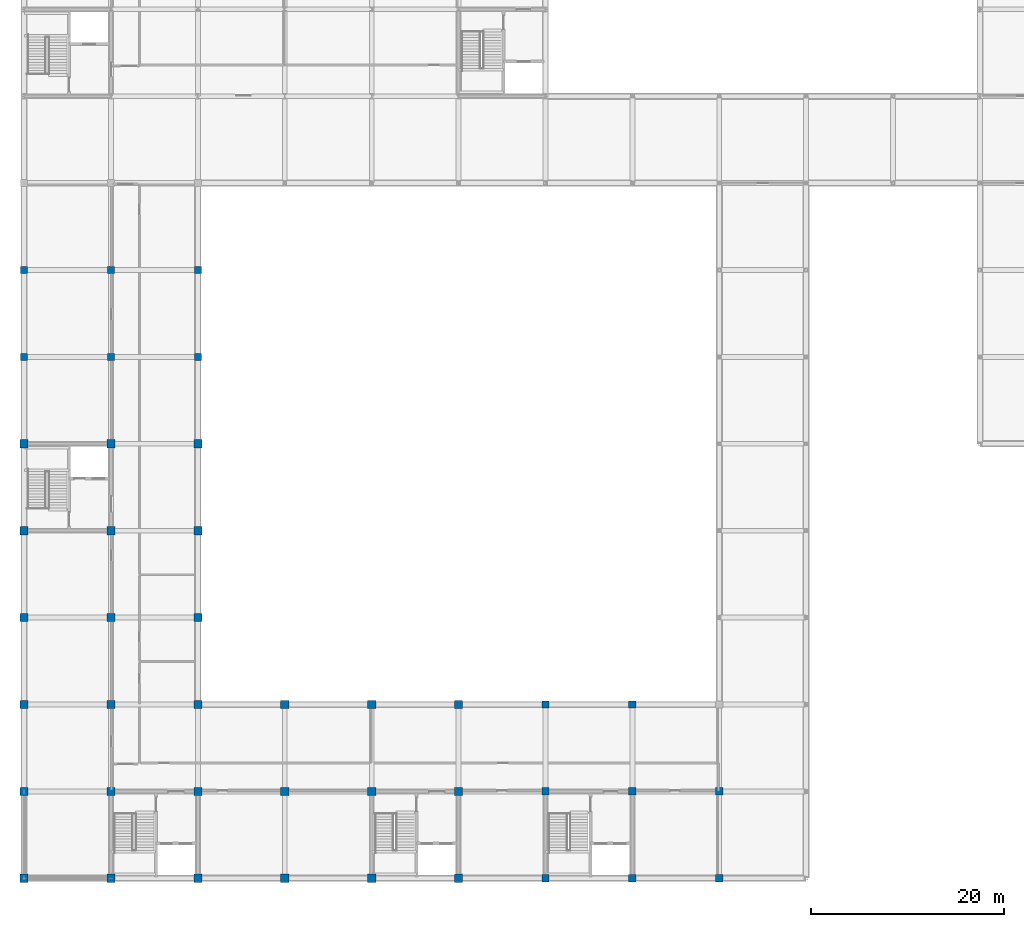
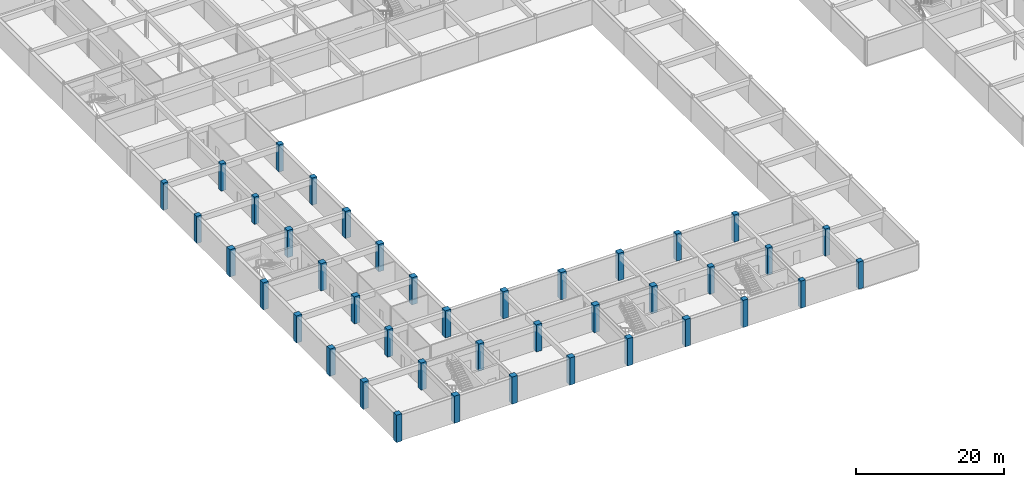
# One storey, part 1 of 35: 41 columns.
"""IFC4 building model written with IfcOpenShell, lengths in metres."""

from ifc_helpers import new_model, si_unit, direction, frame, origin, origin_2d, place, context, subcontext, project, spatial, rectangle, extrude, material, material_profile, profile_set, type_object, element, save


model = new_model("IFC4")

# Units and contexts
model_context = context("Model", 3, precision=1e-05, world=origin(), true_north=direction((0.0, 1.0)))
body_context = subcontext(model_context, "Body", "Model", "MODEL_VIEW")
ifc_project = project(units=[si_unit("LENGTHUNIT", "METRE"), si_unit("AREAUNIT", "SQUARE_METRE"), si_unit("VOLUMEUNIT", "CUBIC_METRE"), si_unit("PLANEANGLEUNIT", "RADIAN"), si_unit("MASSUNIT", "GRAM", prefix="KILO")], contexts=[model_context])

# Site, building, storey
site_placement = place(None, origin())
site = spatial("IfcSite", under=ifc_project, at=site_placement, CompositionType="ELEMENT")
building_placement = place(site_placement, origin())
building = spatial("IfcBuilding", under=site, at=building_placement, Name="Palais des Congres Ocreval", CompositionType="ELEMENT")
storey_placement = place(building_placement, frame((0.0, 0.0, -4.47998046875)))
storey = spatial("IfcBuildingStorey", under=building, at=storey_placement, Name="B1", CompositionType="ELEMENT", Elevation=-4.47998046875)

# Columns
ifc_material = material(Name="Concrete C40/50", Category="concrete")
ifc_material_profile_1 = material_profile(ifc_material, rectangle(XDim=0.75, YDim=0.75, at=origin_2d()), Name="RC 750x750")
ifc_profile_set_1 = profile_set([ifc_material_profile_1], Name="Concrete C40/50")
column_type_1 = type_object("IfcColumnType", Name="Column RC 750x750 Concrete C40/50", PredefinedType="COLUMN", material=ifc_profile_set_1)
for number, where, z_axis, x_axis, name in (
    (1, (0.0, 54.0, 0.0), (0.0, 0.0, 1.0), (1.0, 0.0, 0.0), "Column C22 B1"),
    (2, (0.0, 63.0, 0.0), (0.0, 0.0, 1.0), (1.0, 0.0, 0.0), "Column C22 B1"),
    (3, (9.0, 54.0, 0.0), (0.0, 0.0, 1.0), (1.0, 0.0, 0.0), "Column C22 B1"),
    (4, (9.0, 63.0, 0.0), (0.0, 0.0, 1.0), (1.0, 0.0, 0.0), "Column C22 B1"),
    (5, (18.0, 54.0, 0.0), (0.0, 0.0, 1.0), (1.0, 0.0, 0.0), "Column C22 B1"),
    (6, (18.0, 63.0, 0.0), (0.0, 0.0, 1.0), (1.0, 0.0, 0.0), "Column C22 B1"),
    (7, (54.0, 0.0, 0.0), (0.0, 0.0, 1.0), (1.0, 0.0, 0.0), "Column C22 B1"),
    (8, (54.0, 9.0, 0.0), (0.0, 0.0, 1.0), (1.0, 0.0, 0.0), "Column C22 B1"),
    (9, (54.0, 18.0, 0.0), (0.0, 0.0, 1.0), (1.0, 0.0, 0.0), "Column C22 B1"),
    (10, (63.0, 0.0, 0.0), (0.0, 0.0, 1.0), (1.0, 0.0, 0.0), "Column C22 B1"),
    (11, (63.0, 9.0, 0.0), (0.0, 0.0, 1.0), (1.0, 0.0, 0.0), "Column C22 B1"),
    (12, (63.0, 18.0, 0.0), (0.0, 0.0, 1.0), (1.0, 0.0, 0.0), "Column C22 B1"),
    (13, (72.0, 0.0, 0.0), (0.0, 0.0, 1.0), (1.0, 0.0, 0.0), "Column C22 B1"),
    (14, (72.0, 9.0, 0.0), (0.0, 0.0, 1.0), (1.0, 0.0, 0.0), "Column C22 B1"),
):
    element("IfcColumn", number, at=place(storey_placement, frame(where, z_axis=z_axis, x_axis=x_axis)), inside=storey, type_object=column_type_1, Name=name, PredefinedType="COLUMN", context=body_context, shape_type="SweptSolid", body=[
        extrude(rectangle(XDim=0.75, YDim=0.75, at=origin_2d()), origin(), (0.0, 0.0, 1.0), 4.47998046875),
    ])
ifc_material_profile_2 = material_profile(ifc_material, rectangle(XDim=0.85009765625, YDim=0.85009765625, at=origin_2d()), Name="RC 850x850")
ifc_profile_set_2 = profile_set([ifc_material_profile_2], Name="Concrete C40/50")
column_type_2 = type_object("IfcColumnType", Name="Column RC 850x850 Concrete C40/50", PredefinedType="COLUMN", material=ifc_profile_set_2)
for number, where, z_axis, x_axis, name in (
    (15, (0.0, 0.0, 0.0), (0.0, 0.0, 1.0), (1.0, 0.0, 0.0), "Column C21 B1"),
    (16, (0.0, 9.0, 0.0), (0.0, 0.0, 1.0), (1.0, 0.0, 0.0), "Column C21 B1"),
    (17, (0.0, 18.0, 0.0), (0.0, 0.0, 1.0), (1.0, 0.0, 0.0), "Column C21 B1"),
    (18, (0.0, 27.0, 0.0), (0.0, 0.0, 1.0), (1.0, 0.0, 0.0), "Column C21 B1"),
    (19, (0.0, 36.0, 0.0), (0.0, 0.0, 1.0), (1.0, 0.0, 0.0), "Column C21 B1"),
    (20, (0.0, 45.0, 0.0), (0.0, 0.0, 1.0), (1.0, 0.0, 0.0), "Column C21 B1"),
    (21, (9.0, 0.0, 0.0), (0.0, 0.0, 1.0), (1.0, 0.0, 0.0), "Column C21 B1"),
    (22, (9.0, 9.0, 0.0), (0.0, 0.0, 1.0), (1.0, 0.0, 0.0), "Column C21 B1"),
    (23, (9.0, 18.0, 0.0), (0.0, 0.0, 1.0), (1.0, 0.0, 0.0), "Column C21 B1"),
    (24, (9.0, 27.0, 0.0), (0.0, 0.0, 1.0), (1.0, 0.0, 0.0), "Column C21 B1"),
    (25, (9.0, 36.0, 0.0), (0.0, 0.0, 1.0), (1.0, 0.0, 0.0), "Column C21 B1"),
    (26, (9.0, 45.0, 0.0), (0.0, 0.0, 1.0), (1.0, 0.0, 0.0), "Column C21 B1"),
    (27, (18.0, 0.0, 0.0), (0.0, 0.0, 1.0), (1.0, 0.0, 0.0), "Column C21 B1"),
    (28, (18.0, 9.0, 0.0), (0.0, 0.0, 1.0), (1.0, 0.0, 0.0), "Column C21 B1"),
    (29, (18.0, 18.0, 0.0), (0.0, 0.0, 1.0), (1.0, 0.0, 0.0), "Column C21 B1"),
    (30, (18.0, 27.0, 0.0), (0.0, 0.0, 1.0), (1.0, 0.0, 0.0), "Column C21 B1"),
    (31, (18.0, 36.0, 0.0), (0.0, 0.0, 1.0), (1.0, 0.0, 0.0), "Column C21 B1"),
    (32, (18.0, 45.0, 0.0), (0.0, 0.0, 1.0), (1.0, 0.0, 0.0), "Column C21 B1"),
    (33, (27.0, 0.0, 0.0), (0.0, 0.0, 1.0), (1.0, 0.0, 0.0), "Column C21 B1"),
    (34, (27.0, 9.0, 0.0), (0.0, 0.0, 1.0), (1.0, 0.0, 0.0), "Column C21 B1"),
    (35, (27.0, 18.0, 0.0), (0.0, 0.0, 1.0), (1.0, 0.0, 0.0), "Column C21 B1"),
    (36, (36.0, 0.0, 0.0), (0.0, 0.0, 1.0), (1.0, 0.0, 0.0), "Column C21 B1"),
    (37, (36.0, 9.0, 0.0), (0.0, 0.0, 1.0), (1.0, 0.0, 0.0), "Column C21 B1"),
    (38, (36.0, 18.0, 0.0), (0.0, 0.0, 1.0), (1.0, 0.0, 0.0), "Column C21 B1"),
    (39, (45.0, 0.0, 0.0), (0.0, 0.0, 1.0), (1.0, 0.0, 0.0), "Column C21 B1"),
    (40, (45.0, 9.0, 0.0), (0.0, 0.0, 1.0), (1.0, 0.0, 0.0), "Column C21 B1"),
    (41, (45.0, 18.0, 0.0), (0.0, 0.0, 1.0), (1.0, 0.0, 0.0), "Column C21 B1"),
):
    element("IfcColumn", number, at=place(storey_placement, frame(where, z_axis=z_axis, x_axis=x_axis)), inside=storey, type_object=column_type_2, Name=name, PredefinedType="COLUMN", context=body_context, shape_type="SweptSolid", body=[
        extrude(rectangle(XDim=0.85009765625, YDim=0.85009765625, at=origin_2d()), origin(), (0.0, 0.0, 1.0), 4.47998046875),
    ])

save(model, "model.ifc")
